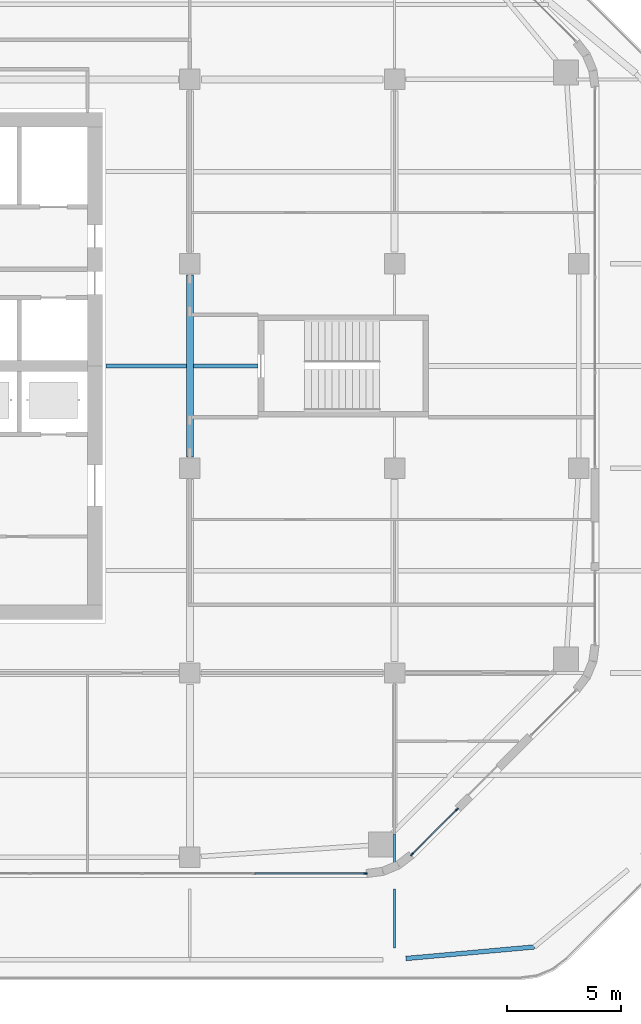
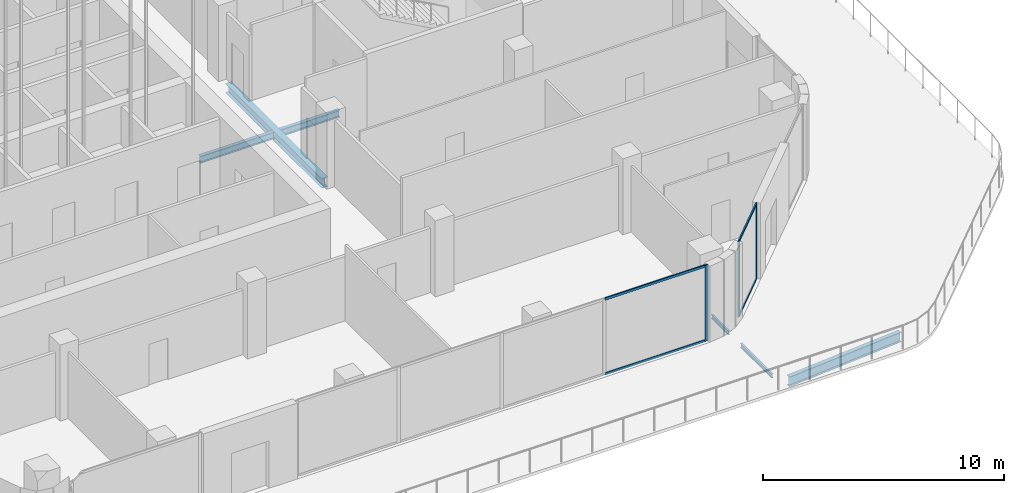
# One storey, part 18 of 29: 7 members, 6 beams, 2 elements without a shape of their own.
"""IFC4 building model written with IfcOpenShell, lengths in metres."""

import ifcopenshell
import ifcopenshell.guid

model = None  # the IFC model being written
_history = None  # IfcOwnerHistory: only IFC2X3 demands one
_inside = {}  # id of a spatial element -> (the spatial element, [elements in it])
_under = {}  # id of a project, library or spatial element -> (it, [spatial elements below it])
_declared = {}  # id of a project -> (the project, [libraries it declares])
_typed = {}  # id of a type object -> (the type object, [elements of that type])
_made_of = {}  # id of a material, layer set ... -> (it, [elements and type objects made of it])


def new_model(schema):
    """Start an empty IFC model of exactly this schema.

    Asked for "IFC4X3", IfcOpenShell would pick the latest addendum, in which some entities
    have other attributes; the version numbers below select the first issue.
    IFC2X3 requires an IfcOwnerHistory on every rooted entity: one is made here for all.
    """
    global model, _history
    if schema == "IFC4X3":
        model = ifcopenshell.file(schema_version=(4, 3, 0, 0))
    else:
        model = ifcopenshell.file(schema=schema)
    _inside.clear()
    _under.clear()
    _declared.clear()
    _typed.clear()
    _made_of.clear()
    _history = None
    if model.schema == "IFC2X3":
        org = make("IfcOrganization", Name="unknown")
        user = make(
            "IfcPersonAndOrganization",
            ThePerson=make("IfcPerson", FamilyName="unknown"),
            TheOrganization=org,
        )
        app = make(
            "IfcApplication",
            ApplicationDeveloper=org,
            Version="unknown",
            ApplicationFullName="unknown",
            ApplicationIdentifier="unknown",
        )
        _history = make(
            "IfcOwnerHistory",
            OwningUser=user,
            OwningApplication=app,
            ChangeAction="ADDED",
            CreationDate=0,
        )
    return model


def make(cls, **values):
    """One entity of the class cls with the attributes given. An attribute that is None is left unset."""
    return model.create_entity(
        cls, **{name: value for name, value in values.items() if value is not None}
    )


def rooted(cls, **values):
    """An entity with a GlobalId (a new one), such as an element, a storey or a relation."""
    return make(cls, GlobalId=ifcopenshell.guid.new(), OwnerHistory=_history, **values)


def si_unit(unit_type, name, prefix=None):
    """IfcSIUnit, for example si_unit("LENGTHUNIT", "METRE", prefix="MILLI")."""
    return make("IfcSIUnit", UnitType=unit_type, Prefix=prefix, Name=name)


def assignment(units):
    """IfcUnitAssignment: the units of a project."""
    return None if units is None else make("IfcUnitAssignment", Units=units)


def point(xyz):
    """IfcCartesianPoint."""
    return None if xyz is None else make("IfcCartesianPoint", Coordinates=xyz)


def direction(xyz):
    """IfcDirection."""
    return None if xyz is None else make("IfcDirection", DirectionRatios=xyz)


def frame(location, z_axis=None, x_axis=None):
    """IfcAxis2Placement3D, a coordinate frame: its origin and axes. An axis left out is left unset."""
    return make(
        "IfcAxis2Placement3D",
        Location=point(location),
        Axis=direction(z_axis),
        RefDirection=direction(x_axis),
    )


def frame_2d(location, x_axis=None):
    """IfcAxis2Placement2D, a coordinate frame in the plane: its origin and x axis."""
    return make(
        "IfcAxis2Placement2D", Location=point(location), RefDirection=direction(x_axis)
    )


def origin():
    """The frame at (0, 0, 0) with its axes left unset."""
    return frame((0.0, 0.0, 0.0))


def origin_2d():
    """The frame at (0, 0) in the plane with its x axis left unset."""
    return frame_2d((0.0, 0.0))


def place(relative_to, where):
    """IfcLocalPlacement: puts the frame where relative to a parent placement (None: the world)."""
    return make(
        "IfcLocalPlacement", PlacementRelTo=relative_to, RelativePlacement=where
    )


def context(
    kind, dimensions, precision=None, world=None, true_north=None, identifier=None
):
    """IfcGeometricRepresentationContext, for example the 3D "Model" context."""
    return make(
        "IfcGeometricRepresentationContext",
        ContextIdentifier=identifier,
        ContextType=kind,
        CoordinateSpaceDimension=dimensions,
        Precision=precision,
        WorldCoordinateSystem=world,
        TrueNorth=true_north,
    )


def subcontext(parent, identifier, kind, view, scale=None):
    """IfcGeometricRepresentationSubContext, for example "Body" below "Model"."""
    return make(
        "IfcGeometricRepresentationSubContext",
        ContextIdentifier=identifier,
        ContextType=kind,
        ParentContext=parent,
        TargetScale=scale,
        TargetView=view,
    )


def project(units=None, contexts=None):
    """IfcProject with its units and contexts."""
    return rooted(
        "IfcProject",
        Name="project",
        RepresentationContexts=contexts,
        UnitsInContext=assignment(units),
    )


def spatial(cls, under=None, at=None, **own):
    """A site, building, storey or space (cls), placed at a placement, below another one or the project."""
    s = rooted(cls, ObjectPlacement=at, **own)
    if under is not None:
        _under.setdefault(under.id(), (under, []))[1].append(s)
    return s


def profile(cls, at=None, kind="AREA", **sizes):
    """A parametric profile (cls). Its sizes go by their IFC names, for example OverallWidth=200.0."""
    return make(cls, ProfileType=kind, Position=at, **sizes)


def rectangle(**sizes):
    """IfcRectangleProfileDef."""
    return profile("IfcRectangleProfileDef", **sizes)


def i_section(**sizes):
    """IfcIShapeProfileDef."""
    return profile("IfcIShapeProfileDef", **sizes)


def extrude(swept, where, along, depth):
    """IfcExtrudedAreaSolid: the profile swept, set in the frame where, extruded along a direction by depth."""
    return make(
        "IfcExtrudedAreaSolid",
        SweptArea=swept,
        Position=where,
        ExtrudedDirection=direction(along),
        Depth=depth,
    )


def shape(context_of_items, identifier, shape_type, items):
    """IfcShapeRepresentation: the items that make up one representation, for example the "Body"."""
    return make(
        "IfcShapeRepresentation",
        ContextOfItems=context_of_items,
        RepresentationIdentifier=identifier,
        RepresentationType=shape_type,
        Items=items,
    )


def material(Name=None, Category=None):
    """IfcMaterial."""
    return make("IfcMaterial", Name=Name, Category=Category)


def material_profile(
    of_material, cross_section, Name=None, Category=None, Priority=None
):
    """IfcMaterialProfile: a cross section and its material."""
    return make(
        "IfcMaterialProfile",
        Name=Name,
        Material=of_material,
        Profile=cross_section,
        Priority=Priority,
        Category=Category,
    )


def profile_set(profiles, Name=None, composite=None):
    """IfcMaterialProfileSet."""
    return make(
        "IfcMaterialProfileSet",
        Name=Name,
        MaterialProfiles=profiles,
        CompositeProfile=composite,
    )


def made_of(thing, what):
    """Note that an element or type object is made of a material, layer set ...; save() writes the relation."""
    if what is not None:
        _made_of.setdefault(what.id(), (what, []))[1].append(thing)
    return thing


def type_object(cls, material=None, **own):
    """A type object (cls), such as IfcWallType, which elements share."""
    return made_of(rooted(cls, **own), material)


def element(
    cls,
    number,
    at=None,
    inside=None,
    cuts=None,
    type_object=None,
    material=None,
    context=None,
    identifier="Body",
    shape_type=None,
    held_by="IfcProductDefinitionShape",
    body=None,
    shapes=None,
    **own,
):
    """One element of the class cls, such as IfcWall. Its Tag is "e" and its number.

    at: its placement. inside: the storey or other place that contains it. cuts: it is an
    opening in that element (IfcRelVoidsElement). A single representation is given by context,
    identifier, shape_type and body (its items); several are given by shapes. held_by: the class
    of the entity that holds the representations. save() writes the other relations.
    """
    e = rooted(cls, Tag="e%d" % number, ObjectPlacement=at, **own)
    if body is not None:
        shapes = [shape(context, identifier, shape_type, body)]
    if shapes is not None:
        e.Representation = make(held_by, Representations=shapes)
    if inside is not None:
        _inside.setdefault(inside.id(), (inside, []))[1].append(e)
    if cuts is not None:
        rooted(
            "IfcRelVoidsElement", RelatingBuildingElement=cuts, RelatedOpeningElement=e
        )
    if type_object is not None:
        _typed.setdefault(type_object.id(), (type_object, []))[1].append(e)
    return made_of(e, material)


def aggregate(whole, parts):
    """IfcRelAggregates: a whole, such as a stair, and the parts it consists of."""
    return rooted("IfcRelAggregates", RelatingObject=whole, RelatedObjects=parts)


def save(model, path):
    """Write the relations noted so far, then the file.

    IfcRelAggregates (storeys below a building ...), IfcRelContainedInSpatialStructure (elements
    in a storey), IfcRelDefinesByType, IfcRelAssociatesMaterial and IfcRelDeclares: one each for
    every whole, place, type object, material and project.
    """
    for whole, parts in _under.values():
        aggregate(whole, parts)
    for where, things in _inside.values():
        rooted(
            "IfcRelContainedInSpatialStructure",
            RelatedElements=things,
            RelatingStructure=where,
        )
    for kind, things in _typed.values():
        rooted("IfcRelDefinesByType", RelatedObjects=things, RelatingType=kind)
    for what, things in _made_of.values():
        rooted("IfcRelAssociatesMaterial", RelatedObjects=things, RelatingMaterial=what)
    for by, libraries in _declared.values():
        rooted("IfcRelDeclares", RelatingContext=by, RelatedDefinitions=libraries)
    model.write(path)


model = new_model("IFC4")

# Units and contexts
model_context = context("Model", 3, precision=1e-05, world=origin(), true_north=direction((0.0, 1.0)))
body_context = subcontext(model_context, "Body", "Model", "MODEL_VIEW")
ifc_project = project(units=[si_unit("LENGTHUNIT", "METRE"), si_unit("AREAUNIT", "SQUARE_METRE"), si_unit("VOLUMEUNIT", "CUBIC_METRE"), si_unit("PLANEANGLEUNIT", "RADIAN"), si_unit("MASSUNIT", "GRAM", prefix="KILO")], contexts=[model_context])

# Site, building, storey
site_placement = place(None, origin())
site = spatial("IfcSite", under=ifc_project, at=site_placement, CompositionType="ELEMENT")
building_placement = place(site_placement, origin())
building = spatial("IfcBuilding", under=site, at=building_placement, Name="Cinnabar Reach Civic Tower", CompositionType="ELEMENT")
storey_placement = place(building_placement, frame((0.0, 0.0, 149.0)))
storey = spatial("IfcBuildingStorey", under=building, at=storey_placement, Name="L35", CompositionType="ELEMENT", Elevation=149.0)

# Beams
ifc_material_1 = material(Name="Steel Q355B", Category="steel")
ifc_material_profile_1 = material_profile(ifc_material_1, i_section(OverallWidth=0.3, OverallDepth=0.488, WebThickness=0.011, FlangeThickness=0.018, FilletRadius=0.016, at=origin_2d()), Name="HM488x300x11x18")
ifc_profile_set_1 = profile_set([ifc_material_profile_1], Name="Steel Q355B")
beam_type_1 = type_object("IfcBeamType", Name="HM488x300x11x18 beam R 180", PredefinedType="BEAM", material=ifc_profile_set_1)
beam_1_placement = place(storey_placement, frame((27.0, 27.502, -0.394), z_axis=(0.0, 1.0, 0.0), x_axis=(-1.0, 0.0, 0.0)))
element("IfcBeam", 1, at=beam_1_placement, inside=storey, type_object=beam_type_1, Name="Girder T1 L35 12", PredefinedType="BEAM", context=body_context, shape_type="SweptSolid", body=[
    extrude(i_section(OverallWidth=0.3, OverallDepth=0.488, WebThickness=0.011, FlangeThickness=0.018, FilletRadius=0.016, at=origin_2d()), origin(), (0.0, 0.0, 1.0), 7.996),
])
ifc_material_profile_2 = material_profile(ifc_material_1, i_section(OverallWidth=0.099, OverallDepth=0.198, WebThickness=0.0045, FlangeThickness=0.007, FilletRadius=0.013, at=origin_2d()), Name="HN200x100x5.5x8")
ifc_profile_set_2 = profile_set([ifc_material_profile_2], Name="Steel Q355B")
beam_type_2 = type_object("IfcBeamType", Name="HN200x100x5.5x8 beam R 180", PredefinedType="BEAM", material=ifc_profile_set_2)
beam_2_placement = place(storey_placement, frame((36.0, 5.902, -0.249), z_axis=(0.0, 1.0, 0.0), x_axis=(-1.0, 0.0, 0.0)))
element("IfcBeam", 2, at=beam_2_placement, inside=storey, type_object=beam_type_2, Name="Girder T1 L35 15", PredefinedType="BEAM", context=body_context, shape_type="SweptSolid", body=[
    extrude(i_section(OverallWidth=0.099, OverallDepth=0.198, WebThickness=0.0045, FlangeThickness=0.007, FilletRadius=0.013, at=origin_2d()), origin(), (0.0, 0.0, 1.0), 2.596),
])
beam_3_placement = place(storey_placement, frame((36.0, 9.502, -0.249), z_axis=(0.0, 1.0, 0.0), x_axis=(-1.0, 0.0, 0.0)))
element("IfcBeam", 3, at=beam_3_placement, inside=storey, type_object=beam_type_2, Name="Girder T1 L35 16", PredefinedType="BEAM", context=body_context, shape_type="SweptSolid", body=[
    extrude(i_section(OverallWidth=0.099, OverallDepth=0.198, WebThickness=0.0045, FlangeThickness=0.007, FilletRadius=0.013, at=origin_2d()), origin(), (0.0, 0.0, 1.0), 1.4088),
])
ifc_material_profile_3 = material_profile(ifc_material_1, i_section(OverallWidth=0.175, OverallDepth=0.35, WebThickness=0.007, FlangeThickness=0.011, FilletRadius=0.013, at=origin_2d()), Name="HN350x175x7x11")
ifc_profile_set_3 = profile_set([ifc_material_profile_3], Name="Steel Q355B")
beam_type_3 = type_object("IfcBeamType", Name="HN350x175x7x11 beam R 180", PredefinedType="BEAM", material=ifc_profile_set_3)
beam_4_placement = place(storey_placement, frame((23.302, 31.5, -0.325), z_axis=(1.0, 0.0, 0.0), x_axis=(0.0, 1.0, 0.0)))
element("IfcBeam", 4, at=beam_4_placement, inside=storey, type_object=beam_type_3, Name="Secondary beam T1 L35 12", PredefinedType="BEAM", context=body_context, shape_type="SweptSolid", body=[
    extrude(i_section(OverallWidth=0.175, OverallDepth=0.35, WebThickness=0.007, FlangeThickness=0.011, FilletRadius=0.013, at=origin_2d()), origin(), (0.0, 0.0, 1.0), 3.546),
])
beam_5_placement = place(storey_placement, frame((27.152, 31.5, -0.325), z_axis=(1.0, 0.0, 0.0), x_axis=(0.0, 1.0, 0.0)))
element("IfcBeam", 5, at=beam_5_placement, inside=storey, type_object=beam_type_3, Name="Secondary beam T1 L35 13", PredefinedType="BEAM", context=body_context, shape_type="SweptSolid", body=[
    extrude(i_section(OverallWidth=0.175, OverallDepth=0.35, WebThickness=0.007, FlangeThickness=0.011, FilletRadius=0.013, at=origin_2d()), origin(), (0.0, 0.0, 1.0), 2.846),
])
ifc_material_profile_4 = material_profile(ifc_material_1, i_section(OverallWidth=0.2, OverallDepth=0.5, WebThickness=0.01, FlangeThickness=0.016, FilletRadius=0.016, at=origin_2d()), Name="HN500x200x10x16")
ifc_profile_set_4 = profile_set([ifc_material_profile_4], Name="Steel Q355B")
beam_type_4 = type_object("IfcBeamType", Name="HN500x200x10x16 beam R 180", PredefinedType="BEAM", material=ifc_profile_set_4)
beam_6_placement = place(storey_placement, frame((36.502, 5.4452, -0.4), z_axis=(0.995978359276, 0.089594128456, 0.0), x_axis=(-0.089594128456, 0.995978359276, 0.0)))
element("IfcBeam", 6, at=beam_6_placement, inside=storey, type_object=beam_type_4, Name="Edge beam T1 L35 26", PredefinedType="BEAM", context=body_context, shape_type="SweptSolid", body=[
    extrude(i_section(OverallWidth=0.2, OverallDepth=0.5, WebThickness=0.01, FlangeThickness=0.016, FilletRadius=0.016, at=origin_2d()), origin(), (0.0, 0.0, 1.0), 5.6689),
])

# Curtain wall, member
ifc_material_2 = material(Name="Aluminium and clear double glazing", Category="aluminium")
curtain_wall_type = type_object("IfcCurtainWallType", Name="Tower 1 sky lobby curtain wall", PredefinedType="NOTDEFINED", material=ifc_material_2)
curtain_wall_1_placement = place(storey_placement, origin())
curtain_wall_1 = element("IfcCurtainWall", 7, at=curtain_wall_1_placement, inside=storey, type_object=curtain_wall_type, Name="Tower 1 sky lobby 2", PredefinedType="NOTDEFINED")
ifc_material_3 = material(Name="Aluminium", Category="aluminium")
ifc_material_profile_5 = material_profile(ifc_material_3, rectangle(XDim=0.06, YDim=0.16, at=origin_2d()), Name="Tower 1 sky lobby mullion")
ifc_profile_set_5 = profile_set([ifc_material_profile_5], Name="Aluminium")
member_type_1 = type_object("IfcMemberType", Name="Tower 1 sky lobby mullion", PredefinedType="MULLION", material=ifc_profile_set_5)
member_1_placement = place(storey_placement, frame((34.7274, 9.18, 0.0), z_axis=(0.0, 0.0, 1.0), x_axis=(0.0, 1.0, 0.0)))
member_1 = element("IfcMember", 8, at=member_1_placement, type_object=member_type_1, Name="CW-T1SKY-2 mullion 5", PredefinedType="MULLION", context=body_context, shape_type="SweptSolid", body=[
    extrude(rectangle(XDim=0.06, YDim=0.16, at=origin_2d()), origin(), (0.0, 0.0, 1.0), 3.85),
])

# Curtain wall, members
curtain_wall_2_placement = place(storey_placement, origin())
curtain_wall_2 = element("IfcCurtainWall", 9, at=curtain_wall_2_placement, inside=storey, type_object=curtain_wall_type, Name="Tower 1 sky lobby 3", PredefinedType="NOTDEFINED")
member_2_placement = place(storey_placement, frame((36.7726, 10.0272, 0.0), z_axis=(0.0, 0.0, 1.0), x_axis=(-0.707106781187, 0.707106781187, 0.0)))
member_2 = element("IfcMember", 10, at=member_2_placement, type_object=member_type_1, Name="CW-T1SKY-3 mullion 1", PredefinedType="MULLION", context=body_context, shape_type="SweptSolid", body=[
    extrude(rectangle(XDim=0.06, YDim=0.16, at=origin_2d()), origin(), (0.0, 0.0, 1.0), 3.85),
])
member_3_placement = place(storey_placement, frame((38.7393, 11.9939, 0.0), z_axis=(0.0, 0.0, 1.0), x_axis=(-0.707106781187, 0.707106781187, 0.0)))
member_3 = element("IfcMember", 11, at=member_3_placement, type_object=member_type_1, Name="CW-T1SKY-3 mullion 2", PredefinedType="MULLION", context=body_context, shape_type="SweptSolid", body=[
    extrude(rectangle(XDim=0.06, YDim=0.16, at=origin_2d()), origin(), (0.0, 0.0, 1.0), 3.85),
])

# Member
ifc_material_profile_6 = material_profile(ifc_material_3, rectangle(XDim=0.06, YDim=0.12, at=origin_2d()), Name="Tower 1 sky lobby transom")
ifc_profile_set_6 = profile_set([ifc_material_profile_6], Name="Aluminium")
member_type_2 = type_object("IfcMemberType", Name="Tower 1 sky lobby transom", PredefinedType="USERDEFINED", material=ifc_profile_set_6)
member_4_placement = place(storey_placement, frame((29.8556, 9.18, 0.03), z_axis=(1.0, 0.0, 0.0), x_axis=(0.0, 1.0, 0.0)))
member_4 = element("IfcMember", 12, at=member_4_placement, type_object=member_type_2, Name="CW-T1SKY-2 transom 4.1", ObjectType="TRANSOM", PredefinedType="USERDEFINED", context=body_context, shape_type="SweptSolid", body=[
    extrude(rectangle(XDim=0.06, YDim=0.12, at=origin_2d()), origin(), (0.0, 0.0, 1.0), 4.8418),
])

member_5_placement = place(storey_placement, frame((29.8556, 9.18, 3.82), z_axis=(1.0, 0.0, 0.0), x_axis=(0.0, 1.0, 0.0)))
member_5 = element("IfcMember", 13, at=member_5_placement, type_object=member_type_2, Name="CW-T1SKY-2 transom 4.2", ObjectType="TRANSOM", PredefinedType="USERDEFINED", context=body_context, shape_type="SweptSolid", body=[
    extrude(rectangle(XDim=0.06, YDim=0.12, at=origin_2d()), origin(), (0.0, 0.0, 1.0), 4.8418),
])

aggregate(curtain_wall_1, [member_1, member_4, member_5])

member_6_placement = place(storey_placement, frame((36.7938, 10.0484, 0.03), z_axis=(0.707106781187, 0.707106781187, 0.0), x_axis=(-0.707106781187, 0.707106781187, 0.0)))
member_6 = element("IfcMember", 14, at=member_6_placement, type_object=member_type_2, Name="CW-T1SKY-3 transom 1.1", ObjectType="TRANSOM", PredefinedType="USERDEFINED", context=body_context, shape_type="SweptSolid", body=[
    extrude(rectangle(XDim=0.06, YDim=0.12, at=origin_2d()), origin(), (0.0, 0.0, 1.0), 2.7214),
])

member_7_placement = place(storey_placement, frame((36.7938, 10.0484, 3.82), z_axis=(0.707106781187, 0.707106781187, 0.0), x_axis=(-0.707106781187, 0.707106781187, 0.0)))
member_7 = element("IfcMember", 15, at=member_7_placement, type_object=member_type_2, Name="CW-T1SKY-3 transom 1.2", ObjectType="TRANSOM", PredefinedType="USERDEFINED", context=body_context, shape_type="SweptSolid", body=[
    extrude(rectangle(XDim=0.06, YDim=0.12, at=origin_2d()), origin(), (0.0, 0.0, 1.0), 2.7214),
])

aggregate(curtain_wall_2, [member_2, member_3, member_6, member_7])

save(model, "model.ifc")
